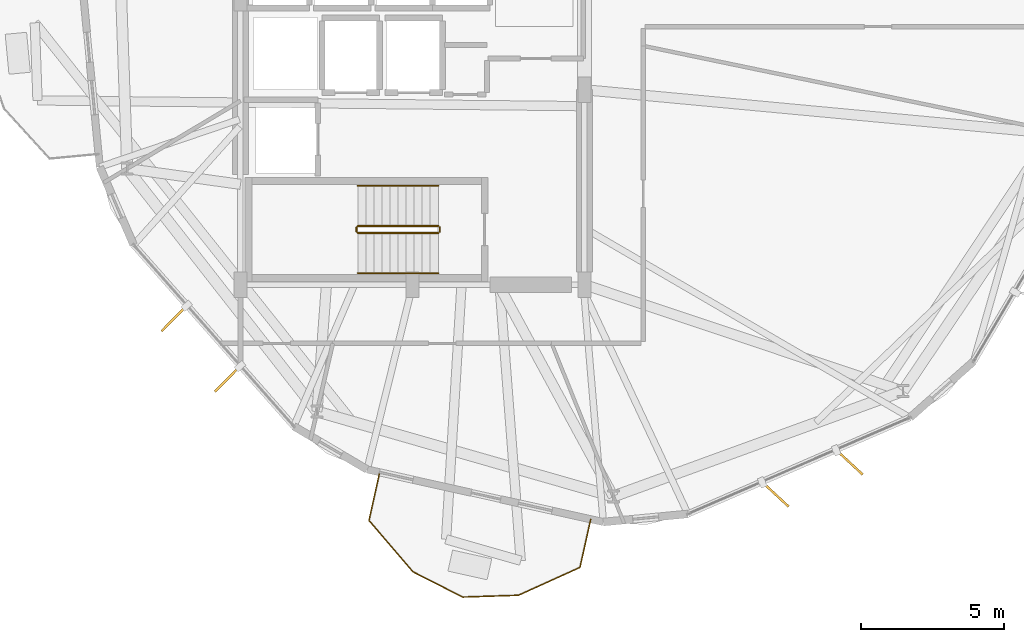
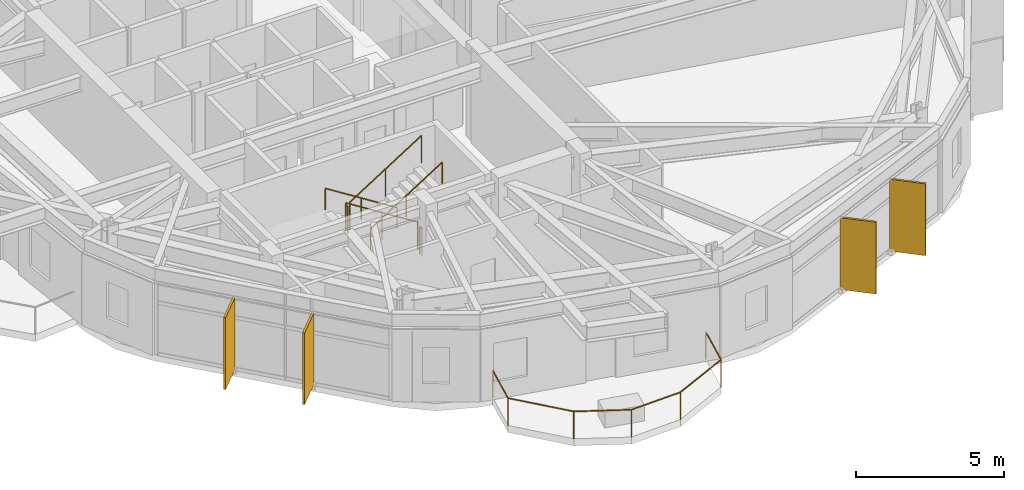
# One storey, part 21 of 23: 7 railings, 4 shading devices.
"""IFC4 building model written with IfcOpenShell, lengths in metres."""

import ifcopenshell
import ifcopenshell.guid

model = None  # the IFC model being written
_history = None  # IfcOwnerHistory: only IFC2X3 demands one
_inside = {}  # id of a spatial element -> (the spatial element, [elements in it])
_under = {}  # id of a project, library or spatial element -> (it, [spatial elements below it])
_declared = {}  # id of a project -> (the project, [libraries it declares])
_typed = {}  # id of a type object -> (the type object, [elements of that type])
_made_of = {}  # id of a material, layer set ... -> (it, [elements and type objects made of it])


def new_model(schema):
    """Start an empty IFC model of exactly this schema.

    Asked for "IFC4X3", IfcOpenShell would pick the latest addendum, in which some entities
    have other attributes; the version numbers below select the first issue.
    IFC2X3 requires an IfcOwnerHistory on every rooted entity: one is made here for all.
    """
    global model, _history
    if schema == "IFC4X3":
        model = ifcopenshell.file(schema_version=(4, 3, 0, 0))
    else:
        model = ifcopenshell.file(schema=schema)
    _inside.clear()
    _under.clear()
    _declared.clear()
    _typed.clear()
    _made_of.clear()
    _history = None
    if model.schema == "IFC2X3":
        org = make("IfcOrganization", Name="unknown")
        user = make(
            "IfcPersonAndOrganization",
            ThePerson=make("IfcPerson", FamilyName="unknown"),
            TheOrganization=org,
        )
        app = make(
            "IfcApplication",
            ApplicationDeveloper=org,
            Version="unknown",
            ApplicationFullName="unknown",
            ApplicationIdentifier="unknown",
        )
        _history = make(
            "IfcOwnerHistory",
            OwningUser=user,
            OwningApplication=app,
            ChangeAction="ADDED",
            CreationDate=0,
        )
    return model


def make(cls, **values):
    """One entity of the class cls with the attributes given. An attribute that is None is left unset."""
    return model.create_entity(
        cls, **{name: value for name, value in values.items() if value is not None}
    )


def rooted(cls, **values):
    """An entity with a GlobalId (a new one), such as an element, a storey or a relation."""
    return make(cls, GlobalId=ifcopenshell.guid.new(), OwnerHistory=_history, **values)


def si_unit(unit_type, name, prefix=None):
    """IfcSIUnit, for example si_unit("LENGTHUNIT", "METRE", prefix="MILLI")."""
    return make("IfcSIUnit", UnitType=unit_type, Prefix=prefix, Name=name)


def assignment(units):
    """IfcUnitAssignment: the units of a project."""
    return None if units is None else make("IfcUnitAssignment", Units=units)


def point(xyz):
    """IfcCartesianPoint."""
    return None if xyz is None else make("IfcCartesianPoint", Coordinates=xyz)


def direction(xyz):
    """IfcDirection."""
    return None if xyz is None else make("IfcDirection", DirectionRatios=xyz)


def frame(location, z_axis=None, x_axis=None):
    """IfcAxis2Placement3D, a coordinate frame: its origin and axes. An axis left out is left unset."""
    return make(
        "IfcAxis2Placement3D",
        Location=point(location),
        Axis=direction(z_axis),
        RefDirection=direction(x_axis),
    )


def frame_2d(location, x_axis=None):
    """IfcAxis2Placement2D, a coordinate frame in the plane: its origin and x axis."""
    return make(
        "IfcAxis2Placement2D", Location=point(location), RefDirection=direction(x_axis)
    )


def origin():
    """The frame at (0, 0, 0) with its axes left unset."""
    return frame((0.0, 0.0, 0.0))


def origin_2d():
    """The frame at (0, 0) in the plane with its x axis left unset."""
    return frame_2d((0.0, 0.0))


def place(relative_to, where):
    """IfcLocalPlacement: puts the frame where relative to a parent placement (None: the world)."""
    return make(
        "IfcLocalPlacement", PlacementRelTo=relative_to, RelativePlacement=where
    )


def context(
    kind, dimensions, precision=None, world=None, true_north=None, identifier=None
):
    """IfcGeometricRepresentationContext, for example the 3D "Model" context."""
    return make(
        "IfcGeometricRepresentationContext",
        ContextIdentifier=identifier,
        ContextType=kind,
        CoordinateSpaceDimension=dimensions,
        Precision=precision,
        WorldCoordinateSystem=world,
        TrueNorth=true_north,
    )


def subcontext(parent, identifier, kind, view, scale=None):
    """IfcGeometricRepresentationSubContext, for example "Body" below "Model"."""
    return make(
        "IfcGeometricRepresentationSubContext",
        ContextIdentifier=identifier,
        ContextType=kind,
        ParentContext=parent,
        TargetScale=scale,
        TargetView=view,
    )


def project(units=None, contexts=None):
    """IfcProject with its units and contexts."""
    return rooted(
        "IfcProject",
        Name="project",
        RepresentationContexts=contexts,
        UnitsInContext=assignment(units),
    )


def spatial(cls, under=None, at=None, **own):
    """A site, building, storey or space (cls), placed at a placement, below another one or the project."""
    s = rooted(cls, ObjectPlacement=at, **own)
    if under is not None:
        _under.setdefault(under.id(), (under, []))[1].append(s)
    return s


def profile(cls, at=None, kind="AREA", **sizes):
    """A parametric profile (cls). Its sizes go by their IFC names, for example OverallWidth=200.0."""
    return make(cls, ProfileType=kind, Position=at, **sizes)


def rectangle(**sizes):
    """IfcRectangleProfileDef."""
    return profile("IfcRectangleProfileDef", **sizes)


def circle(**sizes):
    """IfcCircleProfileDef."""
    return profile("IfcCircleProfileDef", **sizes)


def extrude(swept, where, along, depth):
    """IfcExtrudedAreaSolid: the profile swept, set in the frame where, extruded along a direction by depth."""
    return make(
        "IfcExtrudedAreaSolid",
        SweptArea=swept,
        Position=where,
        ExtrudedDirection=direction(along),
        Depth=depth,
    )


def shape(context_of_items, identifier, shape_type, items):
    """IfcShapeRepresentation: the items that make up one representation, for example the "Body"."""
    return make(
        "IfcShapeRepresentation",
        ContextOfItems=context_of_items,
        RepresentationIdentifier=identifier,
        RepresentationType=shape_type,
        Items=items,
    )


def material(Name=None, Category=None):
    """IfcMaterial."""
    return make("IfcMaterial", Name=Name, Category=Category)


def layer(
    of_material, thickness, ventilated=None, Name=None, Category=None, Priority=None
):
    """IfcMaterialLayer: one layer of a wall or slab, of a material (None: an air gap)."""
    return make(
        "IfcMaterialLayer",
        Material=of_material,
        LayerThickness=thickness,
        IsVentilated=ventilated,
        Name=Name,
        Category=Category,
        Priority=Priority,
    )


def layer_set(layers, Name=None):
    """IfcMaterialLayerSet."""
    return make("IfcMaterialLayerSet", MaterialLayers=layers, LayerSetName=Name)


def made_of(thing, what):
    """Note that an element or type object is made of a material, layer set ...; save() writes the relation."""
    if what is not None:
        _made_of.setdefault(what.id(), (what, []))[1].append(thing)
    return thing


def type_object(cls, material=None, **own):
    """A type object (cls), such as IfcWallType, which elements share."""
    return made_of(rooted(cls, **own), material)


def element(
    cls,
    number,
    at=None,
    inside=None,
    cuts=None,
    type_object=None,
    material=None,
    context=None,
    identifier="Body",
    shape_type=None,
    held_by="IfcProductDefinitionShape",
    body=None,
    shapes=None,
    **own,
):
    """One element of the class cls, such as IfcWall. Its Tag is "e" and its number.

    at: its placement. inside: the storey or other place that contains it. cuts: it is an
    opening in that element (IfcRelVoidsElement). A single representation is given by context,
    identifier, shape_type and body (its items); several are given by shapes. held_by: the class
    of the entity that holds the representations. save() writes the other relations.
    """
    e = rooted(cls, Tag="e%d" % number, ObjectPlacement=at, **own)
    if body is not None:
        shapes = [shape(context, identifier, shape_type, body)]
    if shapes is not None:
        e.Representation = make(held_by, Representations=shapes)
    if inside is not None:
        _inside.setdefault(inside.id(), (inside, []))[1].append(e)
    if cuts is not None:
        rooted(
            "IfcRelVoidsElement", RelatingBuildingElement=cuts, RelatedOpeningElement=e
        )
    if type_object is not None:
        _typed.setdefault(type_object.id(), (type_object, []))[1].append(e)
    return made_of(e, material)


def aggregate(whole, parts):
    """IfcRelAggregates: a whole, such as a stair, and the parts it consists of."""
    return rooted("IfcRelAggregates", RelatingObject=whole, RelatedObjects=parts)


def save(model, path):
    """Write the relations noted so far, then the file.

    IfcRelAggregates (storeys below a building ...), IfcRelContainedInSpatialStructure (elements
    in a storey), IfcRelDefinesByType, IfcRelAssociatesMaterial and IfcRelDeclares: one each for
    every whole, place, type object, material and project.
    """
    for whole, parts in _under.values():
        aggregate(whole, parts)
    for where, things in _inside.values():
        rooted(
            "IfcRelContainedInSpatialStructure",
            RelatedElements=things,
            RelatingStructure=where,
        )
    for kind, things in _typed.values():
        rooted("IfcRelDefinesByType", RelatedObjects=things, RelatingType=kind)
    for what, things in _made_of.values():
        rooted("IfcRelAssociatesMaterial", RelatedObjects=things, RelatingMaterial=what)
    for by, libraries in _declared.values():
        rooted("IfcRelDeclares", RelatingContext=by, RelatedDefinitions=libraries)
    model.write(path)


model = new_model("IFC4")

# Units and contexts
model_context = context("Model", 3, precision=1e-05, world=origin(), true_north=direction((0.0, 1.0)))
body_context = subcontext(model_context, "Body", "Model", "MODEL_VIEW")
ifc_project = project(units=[si_unit("LENGTHUNIT", "METRE"), si_unit("AREAUNIT", "SQUARE_METRE"), si_unit("VOLUMEUNIT", "CUBIC_METRE"), si_unit("PLANEANGLEUNIT", "RADIAN"), si_unit("MASSUNIT", "GRAM", prefix="KILO")], contexts=[model_context])

# Site, building, storey
site_placement = place(None, origin())
site = spatial("IfcSite", under=ifc_project, at=site_placement, CompositionType="ELEMENT")
building_placement = place(site_placement, origin())
building = spatial("IfcBuilding", under=site, at=building_placement, Name="Soratama Intermodal Tower", CompositionType="ELEMENT")
storey_placement = place(building_placement, frame((0.0, 0.0, 118.60009765625)))
storey = spatial("IfcBuildingStorey", under=building, at=storey_placement, Name="L28", CompositionType="ELEMENT", Elevation=118.60009765625)

# Railings
ifc_material_1 = material(Name="Laminated glass and stainless steel balustrade", Category="steel")
railing_type_1 = type_object("IfcRailingType", Name="RL-BAL-1150", PredefinedType="BALUSTRADE", material=ifc_material_1)
railing_1_placement = place(storey_placement, frame((44.818115234375, 6.81591796875, 0.0)))
element("IfcRailing", 1, at=railing_1_placement, inside=storey, type_object=railing_type_1, Name="L28 Balcony Balustrade 3", PredefinedType="BALUSTRADE", context=body_context, shape_type="SweptSolid", body=[
    extrude(circle(Radius=0.02392578125, at=origin_2d()), frame((0.0, 0.0, 1.1259765625), z_axis=(-0.217170917305, -0.976133593663, 0.0), x_axis=(0.976133593663, -0.217170917305, 0.0)), (0.0, 0.0, 1.0), 1.719970703125),
    extrude(circle(Radius=0.02392578125, at=origin_2d()), frame((-0.37353515625, -1.678955078125, 1.1259765625), z_axis=(-0.910996765811, -0.41241349721, 0.0), x_axis=(0.41241349721, -0.910996765811, 0.0)), (0.0, 0.0, 1.0), 2.357177734375),
    extrude(circle(Radius=0.02392578125, at=origin_2d()), frame((-2.52099609375, -2.651123046875, 1.1259765625), z_axis=(-0.999464087187, -0.032734361495, 0.0), x_axis=(0.032734361495, -0.999464087187, 0.0)), (0.0, 0.0, 1.0), 1.946533203125),
    extrude(circle(Radius=0.02392578125, at=origin_2d()), frame((-4.466552734375, -2.71484375, 1.1259765625), z_axis=(-0.8913713881, 0.453273701505, 0.0), x_axis=(-0.453273701505, -0.8913713881, 0.0)), (0.0, 0.0, 1.0), 1.946533203125),
    extrude(circle(Radius=0.02392578125, at=origin_2d()), frame((-6.20166015625, -1.83251953125, 1.1259765625), z_axis=(-0.650313682032, 0.759665791623, 0.0), x_axis=(-0.759665791623, -0.650313682032, 0.0)), (0.0, 0.0, 1.0), 2.357666015625),
    extrude(circle(Radius=0.02392578125, at=origin_2d()), frame((-7.73486328125, -0.04150390625, 1.1259765625), z_axis=(0.217170917305, 0.976133593663, 0.0), x_axis=(-0.976133593663, 0.217170917305, 0.0)), (0.0, 0.0, 1.0), 1.719970703125),
    extrude(circle(Radius=0.02099609375, at=origin_2d()), origin(), (0.0, 0.0, 1.0), 1.101806640625),
    extrude(circle(Radius=0.02099609375, at=origin_2d()), frame((-0.37353515625, -1.678955078125, 0.0)), (0.0, 0.0, 1.0), 1.101806640625),
    extrude(circle(Radius=0.02099609375, at=origin_2d()), frame((-2.52099609375, -2.651123046875, 0.0)), (0.0, 0.0, 1.0), 1.101806640625),
    extrude(circle(Radius=0.02099609375, at=origin_2d()), frame((-4.466552734375, -2.71484375, 0.0)), (0.0, 0.0, 1.0), 1.101806640625),
    extrude(circle(Radius=0.02099609375, at=origin_2d()), frame((-6.20166015625, -1.83251953125, 0.0)), (0.0, 0.0, 1.0), 1.101806640625),
    extrude(circle(Radius=0.02099609375, at=origin_2d()), frame((-7.73486328125, -0.04150390625, 0.0)), (0.0, 0.0, 1.0), 1.101806640625),
    extrude(circle(Radius=0.02099609375, at=origin_2d()), frame((-7.361328125, 1.637451171875, 0.0)), (0.0, 0.0, 1.0), 1.101806640625),
])
ifc_material_2 = material(Name="Painted steel stair guardrail", Category="steel")
railing_type_2 = type_object("IfcRailingType", Name="RL-STAIR-GUARD", PredefinedType="GUARDRAIL", material=ifc_material_2)
railing_2_placement = place(storey_placement, frame((39.5, 17.050048828125, 0.17724609375)))
element("IfcRailing", 2, at=railing_2_placement, inside=storey, type_object=railing_type_2, Name="L28 ST-1 stair guard 1", PredefinedType="GUARDRAIL", context=body_context, shape_type="SweptSolid", body=[
    extrude(circle(Radius=0.02392578125, at=origin_2d()), frame((0.0, 0.0, 1.1259765625), z_axis=(-0.844908973607, 0.0, 0.534910110503), x_axis=(0.0, -1.0, 0.0)), (0.0, 0.0, 1.0), 3.31396484375),
    extrude(circle(Radius=0.02099609375, at=origin_2d()), origin(), (0.0, 0.0, 1.0), 1.101806640625),
    extrude(circle(Radius=0.02099609375, at=origin_2d()), frame((-1.39990234375, 0.0, 0.88623046875)), (0.0, 0.0, 1.0), 1.101806640625),
    extrude(circle(Radius=0.02099609375, at=origin_2d()), frame((-2.800048828125, 0.0, 1.772705078125)), (0.0, 0.0, 1.0), 1.101806640625),
])
railing_3_placement = place(storey_placement, frame((36.64990234375, 17.0, 1.949951171875)))
element("IfcRailing", 3, at=railing_3_placement, inside=storey, type_object=railing_type_2, Name="L28 ST-1 stair guard 2", PredefinedType="GUARDRAIL", context=body_context, shape_type="SweptSolid", body=[
    extrude(circle(Radius=0.02392578125, at=origin_2d()), frame((0.0, 0.0, 1.1259765625), z_axis=(0.0, -1.0, 0.0), x_axis=(1.0, 0.0, 0.0)), (0.0, 0.0, 1.0), 0.14990234375),
    extrude(circle(Radius=0.02099609375, at=origin_2d()), origin(), (0.0, 0.0, 1.0), 1.101806640625),
    extrude(circle(Radius=0.02099609375, at=origin_2d()), frame((0.0, -0.14990234375, 0.0)), (0.0, 0.0, 1.0), 1.101806640625),
])
railing_4_placement = place(storey_placement, frame((36.699951171875, 16.800048828125, 2.127197265625)))
element("IfcRailing", 4, at=railing_4_placement, inside=storey, type_object=railing_type_2, Name="L28 ST-1 stair guard 3", PredefinedType="GUARDRAIL", context=body_context, shape_type="SweptSolid", body=[
    extrude(circle(Radius=0.02392578125, at=origin_2d()), frame((0.0, 0.0, 1.1259765625), z_axis=(0.844908973607, 0.0, 0.534910110503), x_axis=(0.0, 1.0, 0.0)), (0.0, 0.0, 1.0), 3.31396484375),
    extrude(circle(Radius=0.02099609375, at=origin_2d()), origin(), (0.0, 0.0, 1.0), 1.101806640625),
    extrude(circle(Radius=0.02099609375, at=origin_2d()), frame((1.39990234375, 0.0, 0.88623046875)), (0.0, 0.0, 1.0), 1.101806640625),
    extrude(circle(Radius=0.02099609375, at=origin_2d()), frame((2.800048828125, 0.0, 1.772705078125)), (0.0, 0.0, 1.0), 1.101806640625),
])
railing_5_placement = place(storey_placement, frame((39.550048828125, 17.0, 0.0)))
element("IfcRailing", 5, at=railing_5_placement, inside=storey, type_object=railing_type_2, Name="L28 ST-1 stair guard 4", PredefinedType="GUARDRAIL", context=body_context, shape_type="SweptSolid", body=[
    extrude(circle(Radius=0.02392578125, at=origin_2d()), frame((0.0, 0.0, 1.1259765625), z_axis=(0.0, -1.0, 0.0), x_axis=(1.0, 0.0, 0.0)), (0.0, 0.0, 1.0), 0.14990234375),
    extrude(circle(Radius=0.02099609375, at=origin_2d()), origin(), (0.0, 0.0, 1.0), 1.101806640625),
    extrude(circle(Radius=0.02099609375, at=origin_2d()), frame((0.0, -0.14990234375, 0.0)), (0.0, 0.0, 1.0), 1.101806640625),
])
ifc_material_3 = material(Name="Brushed stainless steel handrail", Category="steel")
railing_type_3 = type_object("IfcRailingType", Name="RL-STAIR-HAND", PredefinedType="HANDRAIL", material=ifc_material_3)
railing_6_placement = place(storey_placement, frame((39.5, 18.449951171875, 0.17724609375)))
element("IfcRailing", 6, at=railing_6_placement, inside=storey, type_object=railing_type_3, Name="L28 ST-1 stair handrail 1", PredefinedType="HANDRAIL", context=body_context, shape_type="SweptSolid", body=[
    extrude(circle(Radius=0.02392578125, at=origin_2d()), frame((0.0, 0.0, 0.8759765625), z_axis=(-0.844908973607, 0.0, 0.534910110503), x_axis=(0.0, -1.0, 0.0)), (0.0, 0.0, 1.0), 3.31396484375),
    extrude(circle(Radius=0.02099609375, at=origin_2d()), origin(), (0.0, 0.0, 1.0), 0.851806640625),
    extrude(circle(Radius=0.02099609375, at=origin_2d()), frame((-1.39990234375, 0.0, 0.88623046875)), (0.0, 0.0, 1.0), 0.851806640625),
    extrude(circle(Radius=0.02099609375, at=origin_2d()), frame((-2.800048828125, 0.0, 1.772705078125)), (0.0, 0.0, 1.0), 0.851806640625),
])
railing_7_placement = place(storey_placement, frame((36.699951171875, 15.39990234375, 2.127197265625)))
element("IfcRailing", 7, at=railing_7_placement, inside=storey, type_object=railing_type_3, Name="L28 ST-1 stair handrail 2", PredefinedType="HANDRAIL", context=body_context, shape_type="SweptSolid", body=[
    extrude(circle(Radius=0.02392578125, at=origin_2d()), frame((0.0, 0.0, 0.8759765625), z_axis=(0.844908973607, 0.0, 0.534910110503), x_axis=(0.0, 1.0, 0.0)), (0.0, 0.0, 1.0), 3.31396484375),
    extrude(circle(Radius=0.02099609375, at=origin_2d()), origin(), (0.0, 0.0, 1.0), 0.851806640625),
    extrude(circle(Radius=0.02099609375, at=origin_2d()), frame((1.39990234375, 0.0, 0.88623046875)), (0.0, 0.0, 1.0), 0.851806640625),
    extrude(circle(Radius=0.02099609375, at=origin_2d()), frame((2.800048828125, 0.0, 1.772705078125)), (0.0, 0.0, 1.0), 0.851806640625),
])

# Shading devices
ifc_material_4 = material(Name="Champagne anodised aluminium solar fin", Category="aluminium")
ifc_layer = layer(ifc_material_4, 0.080078125)
ifc_layer_set = layer_set([ifc_layer], Name="Champagne anodised aluminium solar fin")
shading_device_type = type_object("IfcShadingDeviceType", Name="SH-FIN-1250", PredefinedType="USERDEFINED", material=ifc_layer_set)
for number, where, z_axis, x_axis, name in (
    (8, (30.281982421875, 13.818115234375, 0.02001953125), (0.0, 0.0, 1.0), (-0.704510355776, -0.709693707598, 0.0), "L28 Solar Fin F06-1"),
    (9, (32.14501953125, 11.709228515625, 0.02001953125), (0.0, 0.0, 1.0), (-0.704510355776, -0.709693707598, 0.0), "L28 Solar Fin F06-2"),
    (10, (51.2646484375, 7.68212890625, 0.02001953125), (0.0, 0.0, 1.0), (0.733255346223, -0.679953378722, 0.0), "L28 Solar Fin F08-1"),
    (11, (53.845703125, 8.80224609375, 0.02001953125), (0.0, 0.0, 1.0), (0.733255346223, -0.679953378722, 0.0), "L28 Solar Fin F08-2"),
):
    element("IfcShadingDevice", number, at=place(storey_placement, frame(where, z_axis=z_axis, x_axis=x_axis)), inside=storey, type_object=shading_device_type, Name=name, ObjectType="FIN", PredefinedType="USERDEFINED", context=body_context, shape_type="SweptSolid", body=[
        extrude(rectangle(XDim=1.25, YDim=0.080078125, at=origin_2d()), origin(), (0.0, 0.0, 1.0), 2.958984375),
    ])

save(model, "model.ifc")
